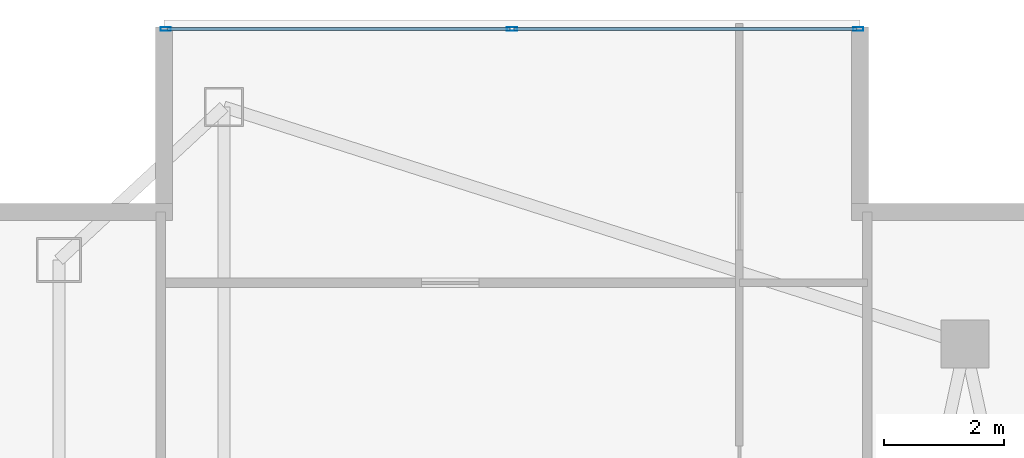
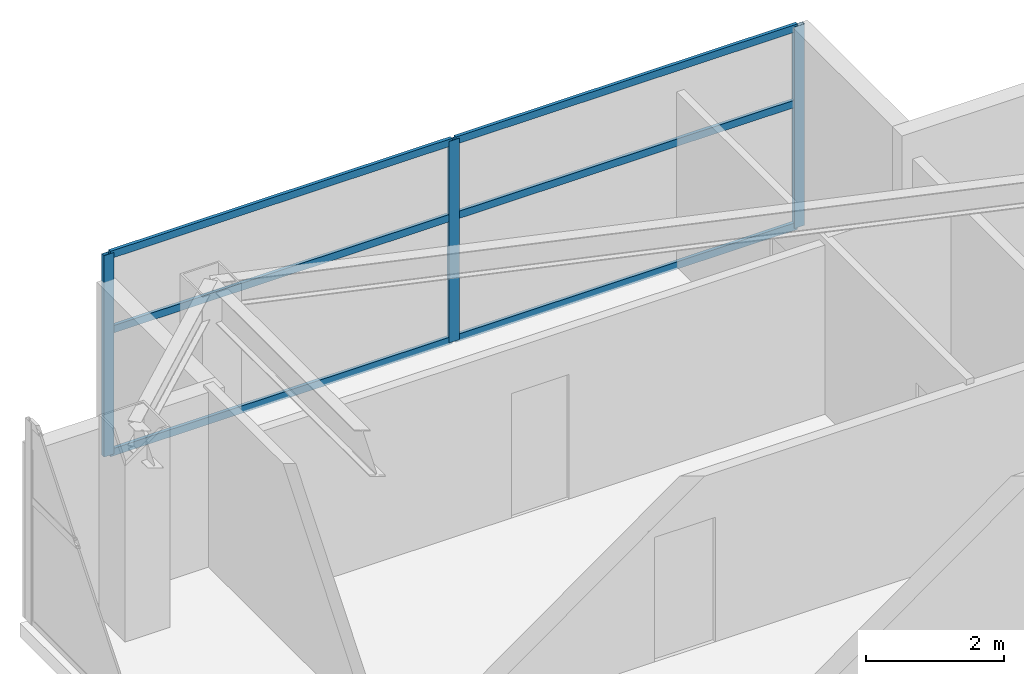
# One storey, part 21 of 28: 9 members, 1 element without a shape of its own.
"""IFC4 building model written with IfcOpenShell, lengths in metres."""

from ifc_helpers import new_model, si_unit, direction, frame, origin, origin_2d, place, context, subcontext, project, spatial, hollow_rectangle, extrude, material, layer, layer_set, material_profile, profile_set, type_object, element, aggregate, save


model = new_model("IFC4")

# Units and contexts
model_context = context("Model", 3, precision=1e-05, world=origin(), true_north=direction((0.0, 1.0)))
body_context = subcontext(model_context, "Body", "Model", "MODEL_VIEW")
ifc_project = project(units=[si_unit("LENGTHUNIT", "METRE"), si_unit("AREAUNIT", "SQUARE_METRE"), si_unit("VOLUMEUNIT", "CUBIC_METRE"), si_unit("PLANEANGLEUNIT", "RADIAN"), si_unit("MASSUNIT", "GRAM", prefix="KILO")], contexts=[model_context])

# Site, building, storey
site_placement = place(None, origin())
site = spatial("IfcSite", under=ifc_project, at=site_placement, CompositionType="ELEMENT")
building_placement = place(site_placement, origin())
building = spatial("IfcBuilding", under=site, at=building_placement, Name="Calvorn Quay Hotel", CompositionType="ELEMENT")
storey_placement = place(building_placement, frame((0.0, 0.0, 271.10009765625)))
storey = spatial("IfcBuildingStorey", under=building, at=storey_placement, Name="L67", CompositionType="ELEMENT", Elevation=271.10009765625)

# Curtain wall, members
ifc_material_1 = material(Name="Champagne Bronze Anodised Aluminium and Low-E Glass", Category="aluminium")
ifc_layer = layer(ifc_material_1, 0.219970703125)
ifc_layer_set = layer_set([ifc_layer], Name="CW-SYS-Z4")
curtain_wall_type = type_object("IfcCurtainWallType", Name="CW-SYS-Z4", PredefinedType="NOTDEFINED", material=ifc_layer_set)
curtain_wall_placement = place(storey_placement, origin())
curtain_wall = element("IfcCurtainWall", 1, at=curtain_wall_placement, inside=storey, type_object=curtain_wall_type, Name="Inner Court Curtain Wall L67-N1", PredefinedType="NOTDEFINED")
ifc_material_2 = material(Name="Champagne Bronze Anodised Aluminium 6063-T6", Category="aluminium")
ifc_material_profile_1 = material_profile(ifc_material_2, hollow_rectangle(XDim=0.06494140625, YDim=0.169921875, WallThickness=0.00341796875, at=origin_2d()), Name="ALU-M170x65x3.5")
ifc_profile_set_1 = profile_set([ifc_material_profile_1], Name="Champagne Bronze Anodised Aluminium 6063-T6")
member_type_1 = type_object("IfcMemberType", Name="CW-SYS-Z4-MUL", PredefinedType="MULLION", material=ifc_profile_set_1)
member_1_placement = place(storey_placement, frame((14.77001953125, 50.85009765625, 0.0), z_axis=(0.0, 0.0, 1.0), x_axis=(0.0, -1.0, 0.0)))
member_1 = element("IfcMember", 2, at=member_1_placement, type_object=member_type_1, Name="CW-L67-N1 mullion 1", PredefinedType="MULLION", context=body_context, shape_type="SweptSolid", body=[
    extrude(hollow_rectangle(XDim=0.06494140625, YDim=0.169921875, WallThickness=0.00341796875, at=origin_2d()), origin(), (0.0, 0.0, 1.0), 3.559814453125),
])
member_2_placement = place(storey_placement, frame((9.0, 50.85009765625, 0.0), z_axis=(0.0, 0.0, 1.0), x_axis=(0.0, -1.0, 0.0)))
member_2 = element("IfcMember", 3, at=member_2_placement, type_object=member_type_1, Name="CW-L67-N1 mullion 2", PredefinedType="MULLION", context=body_context, shape_type="SweptSolid", body=[
    extrude(hollow_rectangle(XDim=0.06494140625, YDim=0.169921875, WallThickness=0.00341796875, at=origin_2d()), origin(), (0.0, 0.0, 1.0), 3.559814453125),
])
member_3_placement = place(storey_placement, frame((3.22998046875, 50.85009765625, 0.0), z_axis=(0.0, 0.0, 1.0), x_axis=(0.0, -1.0, 0.0)))
member_3 = element("IfcMember", 4, at=member_3_placement, type_object=member_type_1, Name="CW-L67-N1 mullion 3", PredefinedType="MULLION", context=body_context, shape_type="SweptSolid", body=[
    extrude(hollow_rectangle(XDim=0.06494140625, YDim=0.169921875, WallThickness=0.00341796875, at=origin_2d()), origin(), (0.0, 0.0, 1.0), 3.559814453125),
])
ifc_material_3 = material(Name="Champagne Bronze Anodised Aluminium 6063-T6", Category="aluminium")
ifc_material_profile_2 = material_profile(ifc_material_3, hollow_rectangle(XDim=0.054931640625, YDim=0.1298828125, WallThickness=0.003173828125, at=origin_2d()), Name="ALU-T130x55x3.2")
ifc_profile_set_2 = profile_set([ifc_material_profile_2], Name="Champagne Bronze Anodised Aluminium 6063-T6")
member_type_2 = type_object("IfcMemberType", Name="CW-SYS-Z4-TRN", PredefinedType="USERDEFINED", material=ifc_profile_set_2)
member_4_placement = place(storey_placement, frame((14.739990234375, 50.85009765625, 0.02978515625), z_axis=(-1.0, 0.0, 0.0), x_axis=(0.0, -1.0, 0.0)))
member_4 = element("IfcMember", 5, at=member_4_placement, type_object=member_type_2, Name="CW-L67-N1 transom 1.1", ObjectType="TRANSOM", PredefinedType="USERDEFINED", context=body_context, shape_type="SweptSolid", body=[
    extrude(hollow_rectangle(XDim=0.054931640625, YDim=0.1298828125, WallThickness=0.003173828125, at=origin_2d()), origin(), (0.0, 0.0, 1.0), 5.7099609375),
])
member_5_placement = place(storey_placement, frame((14.739990234375, 50.85009765625, 2.199951171875), z_axis=(-1.0, 0.0, 0.0), x_axis=(0.0, -1.0, 0.0)))
member_5 = element("IfcMember", 6, at=member_5_placement, type_object=member_type_2, Name="CW-L67-N1 transom 1.2", ObjectType="TRANSOM", PredefinedType="USERDEFINED", context=body_context, shape_type="SweptSolid", body=[
    extrude(hollow_rectangle(XDim=0.054931640625, YDim=0.1298828125, WallThickness=0.003173828125, at=origin_2d()), origin(), (0.0, 0.0, 1.0), 5.7099609375),
])
member_6_placement = place(storey_placement, frame((14.739990234375, 50.85009765625, 3.52978515625), z_axis=(-1.0, 0.0, 0.0), x_axis=(0.0, -1.0, 0.0)))
member_6 = element("IfcMember", 7, at=member_6_placement, type_object=member_type_2, Name="CW-L67-N1 transom 1.3", ObjectType="TRANSOM", PredefinedType="USERDEFINED", context=body_context, shape_type="SweptSolid", body=[
    extrude(hollow_rectangle(XDim=0.054931640625, YDim=0.1298828125, WallThickness=0.003173828125, at=origin_2d()), origin(), (0.0, 0.0, 1.0), 5.7099609375),
])
member_7_placement = place(storey_placement, frame((8.969970703125, 50.85009765625, 0.02978515625), z_axis=(-1.0, 0.0, 0.0), x_axis=(0.0, -1.0, 0.0)))
member_7 = element("IfcMember", 8, at=member_7_placement, type_object=member_type_2, Name="CW-L67-N1 transom 2.1", ObjectType="TRANSOM", PredefinedType="USERDEFINED", context=body_context, shape_type="SweptSolid", body=[
    extrude(hollow_rectangle(XDim=0.054931640625, YDim=0.1298828125, WallThickness=0.003173828125, at=origin_2d()), origin(), (0.0, 0.0, 1.0), 5.7099609375),
])
member_8_placement = place(storey_placement, frame((8.969970703125, 50.85009765625, 2.199951171875), z_axis=(-1.0, 0.0, 0.0), x_axis=(0.0, -1.0, 0.0)))
member_8 = element("IfcMember", 9, at=member_8_placement, type_object=member_type_2, Name="CW-L67-N1 transom 2.2", ObjectType="TRANSOM", PredefinedType="USERDEFINED", context=body_context, shape_type="SweptSolid", body=[
    extrude(hollow_rectangle(XDim=0.054931640625, YDim=0.1298828125, WallThickness=0.003173828125, at=origin_2d()), origin(), (0.0, 0.0, 1.0), 5.7099609375),
])
member_9_placement = place(storey_placement, frame((8.969970703125, 50.85009765625, 3.52978515625), z_axis=(-1.0, 0.0, 0.0), x_axis=(0.0, -1.0, 0.0)))
member_9 = element("IfcMember", 10, at=member_9_placement, type_object=member_type_2, Name="CW-L67-N1 transom 2.3", ObjectType="TRANSOM", PredefinedType="USERDEFINED", context=body_context, shape_type="SweptSolid", body=[
    extrude(hollow_rectangle(XDim=0.054931640625, YDim=0.1298828125, WallThickness=0.003173828125, at=origin_2d()), origin(), (0.0, 0.0, 1.0), 5.7099609375),
])
aggregate(curtain_wall, [member_1, member_2, member_3, member_4, member_5, member_6, member_7, member_8, member_9])

save(model, "model.ifc")
